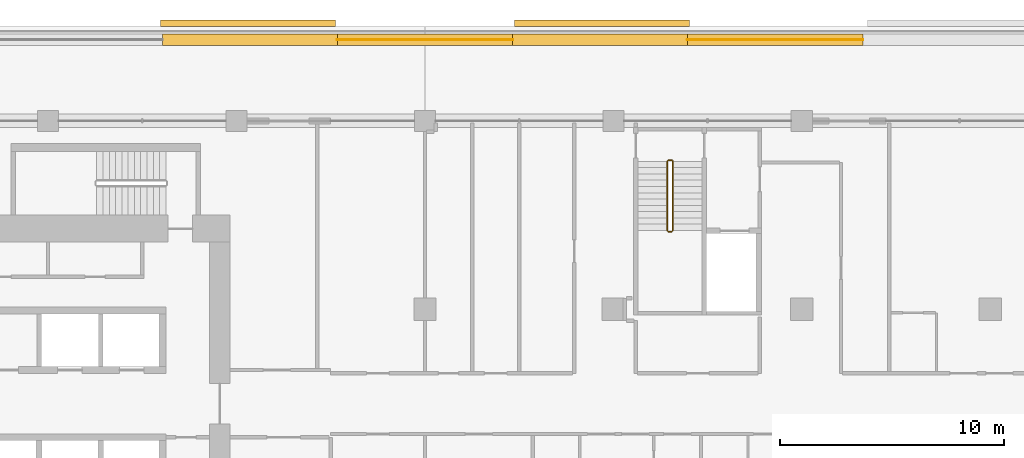
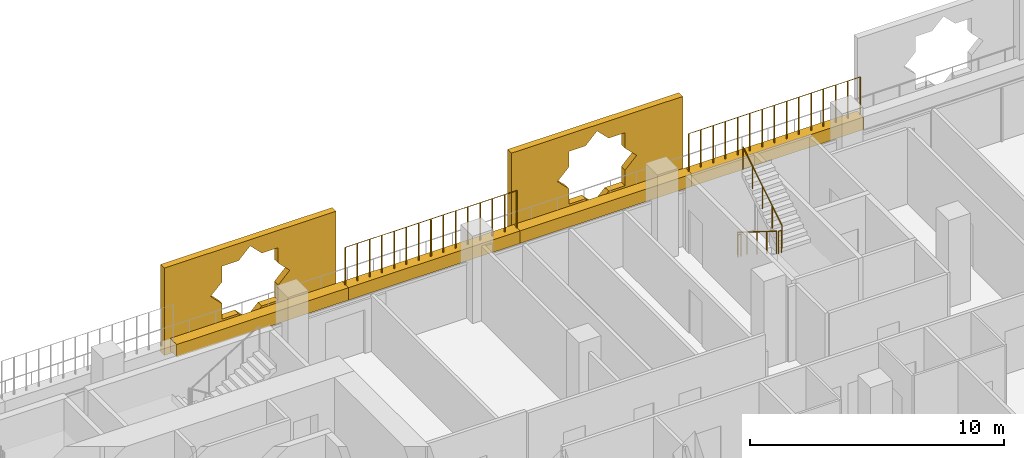
# One storey, part 21 of 22: 6 coverings, 6 railings.
"""IFC4 building model written with IfcOpenShell, lengths in metres."""

from ifc_helpers import new_model, si_unit, direction, frame, origin, origin_2d, place, context, subcontext, project, spatial, polyline, rectangle, circle, outline, extrude, material, material_profile, profile_set, type_object, element, save


model = new_model("IFC4")

# Units and contexts
model_context = context("Model", 3, precision=1e-05, world=origin(), true_north=direction((0.0, 1.0)))
body_context = subcontext(model_context, "Body", "Model", "MODEL_VIEW")
ifc_project = project(units=[si_unit("LENGTHUNIT", "METRE"), si_unit("AREAUNIT", "SQUARE_METRE"), si_unit("VOLUMEUNIT", "CUBIC_METRE"), si_unit("PLANEANGLEUNIT", "RADIAN"), si_unit("MASSUNIT", "GRAM", prefix="KILO")], contexts=[model_context])

# Site, building, storey
site_placement = place(None, origin())
site = spatial("IfcSite", under=ifc_project, at=site_placement, CompositionType="ELEMENT")
building_placement = place(site_placement, origin())
building = spatial("IfcBuilding", under=site, at=building_placement, Name="Kawkab Arch Medical Tower", CompositionType="ELEMENT")
storey_placement = place(building_placement, frame((0.0, 0.0, 187.800048828125)))
storey = spatial("IfcBuildingStorey", under=building, at=storey_placement, Name="L43", CompositionType="ELEMENT", Elevation=187.800048828125)

# Coverings
ifc_material_1 = material(Name="Bronze anodised aluminium mashrabiya panel, eight-point star pattern", Category="aluminium")
ifc_material_profile_1 = material_profile(ifc_material_1, outline(polyline([(-3.89990234375, -2.10009765625), (3.89990234375, -2.10009765625), (3.89990234375, 2.10009765625), (-3.89990234375, 2.10009765625), (-3.89990234375, -2.10009765625)]), holes=[polyline([(1.800048828125, 0.0), (1.272705078125, 0.527099609375), (1.272705078125, 1.272705078125), (0.527099609375, 1.272705078125), (0.0, 1.800048828125), (-0.527099609375, 1.272705078125), (-1.272705078125, 1.272705078125), (-1.272705078125, 0.527099609375), (-1.800048828125, 0.0), (-1.272705078125, -0.527099609375), (-1.272705078125, -1.272705078125), (-0.527099609375, -1.272705078125), (0.0, -1.800048828125), (0.527099609375, -1.272705078125), (1.272705078125, -1.272705078125), (1.272705078125, -0.527099609375), (1.800048828125, 0.0)])]), Name="Mashrabiya panel 7800x4200")
ifc_profile_set_1 = profile_set([ifc_material_profile_1], Name="Bronze anodised aluminium mashrabiya panel, eight-point star pattern")
covering_type_1 = type_object("IfcCoveringType", Name="Mashrabiya panel 7800 x 4200", PredefinedType="USERDEFINED", material=ifc_profile_set_1)
for number, where, z_axis, x_axis, name in (
    (1, (25.7158203125, 4.199951171875, 1.699951171875), (0.0, 1.0, 0.0), (-1.0, 0.0, 0.0), "Mashrabiya panel L43.LOG-01-01.6"),
    (2, (41.484375, 4.199951171875, 1.699951171875), (0.0, 1.0, 0.0), (-1.0, 0.0, 0.0), "Mashrabiya panel L43.LOG-01-01.7"),
):
    element("IfcCovering", number, at=place(storey_placement, frame(where, z_axis=z_axis, x_axis=x_axis)), inside=storey, type_object=covering_type_1, Name=name, ObjectType="SCREEN", PredefinedType="USERDEFINED", context=body_context, shape_type="SweptSolid", body=[
        extrude(outline(polyline([(-3.89990234375, -2.10009765625), (3.89990234375, -2.10009765625), (3.89990234375, 2.10009765625), (-3.89990234375, 2.10009765625), (-3.89990234375, -2.10009765625)]), holes=[polyline([(1.800048828125, 0.0), (1.272705078125, 0.527099609375), (1.272705078125, 1.272705078125), (0.527099609375, 1.272705078125), (0.0, 1.800048828125), (-0.527099609375, 1.272705078125), (-1.272705078125, 1.272705078125), (-1.272705078125, 0.527099609375), (-1.800048828125, 0.0), (-1.272705078125, -0.527099609375), (-1.272705078125, -1.272705078125), (-0.527099609375, -1.272705078125), (0.0, -1.800048828125), (0.527099609375, -1.272705078125), (1.272705078125, -1.272705078125), (1.272705078125, -0.527099609375), (1.800048828125, 0.0)])]), origin(), (0.0, 0.0, 1.0), 0.300048828125),
    ])
ifc_material_2 = material(Name="Planting soil in a precast trough", Category="concrete")
ifc_material_profile_2 = material_profile(ifc_material_2, rectangle(XDim=0.5, YDim=0.60009765625, at=origin_2d()), Name="Trough 500x600")
ifc_profile_set_2 = profile_set([ifc_material_profile_2], Name="Planting soil in a precast trough")
covering_type_2 = type_object("IfcCoveringType", Name="Planter trough 500 x 600", PredefinedType="USERDEFINED", material=ifc_profile_set_2)
covering_1_placement = place(storey_placement, frame((21.89306640625, 3.6201171875, 0.300048828125), z_axis=(1.0, 0.0, 0.0), x_axis=(0.0, 1.0, 0.0)))
element("IfcCovering", 3, at=covering_1_placement, inside=storey, type_object=covering_type_2, Name="Planter L43.LOG-01-01.20", ObjectType="PLANTER", PredefinedType="USERDEFINED", context=body_context, shape_type="SweptSolid", body=[
    extrude(rectangle(XDim=0.5, YDim=0.60009765625, at=origin_2d()), origin(), (0.0, 0.0, 1.0), 7.804931640625),
])
covering_2_placement = place(storey_placement, frame((29.697998046875, 3.6201171875, 0.300048828125), z_axis=(1.0, 0.0, 0.0), x_axis=(0.0, 1.0, 0.0)))
element("IfcCovering", 4, at=covering_2_placement, inside=storey, type_object=covering_type_2, Name="Planter L43.LOG-01-01.21", ObjectType="PLANTER", PredefinedType="USERDEFINED", context=body_context, shape_type="SweptSolid", body=[
    extrude(rectangle(XDim=0.5, YDim=0.60009765625, at=origin_2d()), origin(), (0.0, 0.0, 1.0), 7.803955078125),
])
covering_3_placement = place(storey_placement, frame((37.501953125, 3.6201171875, 0.300048828125), z_axis=(1.0, 0.0, 0.0), x_axis=(0.0, 1.0, 0.0)))
element("IfcCovering", 5, at=covering_3_placement, inside=storey, type_object=covering_type_2, Name="Planter L43.LOG-01-01.22", ObjectType="PLANTER", PredefinedType="USERDEFINED", context=body_context, shape_type="SweptSolid", body=[
    extrude(rectangle(XDim=0.5, YDim=0.60009765625, at=origin_2d()), origin(), (0.0, 0.0, 1.0), 7.804931640625),
])
covering_4_placement = place(storey_placement, frame((45.306884765625, 3.6201171875, 0.300048828125), z_axis=(1.0, 0.0, 0.0), x_axis=(0.0, 1.0, 0.0)))
element("IfcCovering", 6, at=covering_4_placement, inside=storey, type_object=covering_type_2, Name="Planter L43.LOG-01-01.23", ObjectType="PLANTER", PredefinedType="USERDEFINED", context=body_context, shape_type="SweptSolid", body=[
    extrude(rectangle(XDim=0.5, YDim=0.60009765625, at=origin_2d()), origin(), (0.0, 0.0, 1.0), 7.80517578125),
])

# Railings
ifc_material_3 = material(Name="Bronze anodised aluminium trellis for climbing plants", Category="aluminium")
railing_type_1 = type_object("IfcRailingType", Name="Planting trellis 2400", PredefinedType="USERDEFINED", material=ifc_material_3)
railing_1_placement = place(storey_placement, frame((29.697998046875, 3.6201171875, 0.0)))
element("IfcRailing", 7, at=railing_1_placement, inside=storey, type_object=railing_type_1, Name="Planting trellis L43.LOG-01-01.21", ObjectType="TRELLIS", PredefinedType="USERDEFINED", context=body_context, shape_type="SweptSolid", body=[
    extrude(circle(Radius=0.01513671875, at=origin_2d()), frame((0.0, 0.0, 2.384765625), z_axis=(1.0, 0.0, 0.0), x_axis=(0.0, 1.0, 0.0)), (0.0, 0.0, 1.0), 7.803955078125),
    extrude(circle(Radius=0.030029296875, at=origin_2d()), origin(), (0.0, 0.0, 1.0), 2.369873046875),
    extrude(circle(Radius=0.030029296875, at=origin_2d()), frame((0.557373046875, 0.0, 0.0)), (0.0, 0.0, 1.0), 2.369873046875),
    extrude(circle(Radius=0.030029296875, at=origin_2d()), frame((1.11474609375, 0.0, 0.0)), (0.0, 0.0, 1.0), 2.369873046875),
    extrude(circle(Radius=0.030029296875, at=origin_2d()), frame((1.67236328125, 0.0, 0.0)), (0.0, 0.0, 1.0), 2.369873046875),
    extrude(circle(Radius=0.030029296875, at=origin_2d()), frame((2.229736328125, 0.0, 0.0)), (0.0, 0.0, 1.0), 2.369873046875),
    extrude(circle(Radius=0.030029296875, at=origin_2d()), frame((2.787109375, 0.0, 0.0)), (0.0, 0.0, 1.0), 2.369873046875),
    extrude(circle(Radius=0.030029296875, at=origin_2d()), frame((3.344482421875, 0.0, 0.0)), (0.0, 0.0, 1.0), 2.369873046875),
    extrude(circle(Radius=0.030029296875, at=origin_2d()), frame((3.90185546875, 0.0, 0.0)), (0.0, 0.0, 1.0), 2.369873046875),
    extrude(circle(Radius=0.030029296875, at=origin_2d()), frame((4.45947265625, 0.0, 0.0)), (0.0, 0.0, 1.0), 2.369873046875),
    extrude(circle(Radius=0.030029296875, at=origin_2d()), frame((5.016845703125, 0.0, 0.0)), (0.0, 0.0, 1.0), 2.369873046875),
    extrude(circle(Radius=0.030029296875, at=origin_2d()), frame((5.57421875, 0.0, 0.0)), (0.0, 0.0, 1.0), 2.369873046875),
    extrude(circle(Radius=0.030029296875, at=origin_2d()), frame((6.131591796875, 0.0, 0.0)), (0.0, 0.0, 1.0), 2.369873046875),
    extrude(circle(Radius=0.030029296875, at=origin_2d()), frame((6.689208984375, 0.0, 0.0)), (0.0, 0.0, 1.0), 2.369873046875),
    extrude(circle(Radius=0.030029296875, at=origin_2d()), frame((7.24658203125, 0.0, 0.0)), (0.0, 0.0, 1.0), 2.369873046875),
    extrude(circle(Radius=0.030029296875, at=origin_2d()), frame((7.803955078125, 0.0, 0.0)), (0.0, 0.0, 1.0), 2.369873046875),
])
railing_2_placement = place(storey_placement, frame((45.306884765625, 3.6201171875, 0.0)))
element("IfcRailing", 8, at=railing_2_placement, inside=storey, type_object=railing_type_1, Name="Planting trellis L43.LOG-01-01.23", ObjectType="TRELLIS", PredefinedType="USERDEFINED", context=body_context, shape_type="SweptSolid", body=[
    extrude(circle(Radius=0.01513671875, at=origin_2d()), frame((0.0, 0.0, 2.384765625), z_axis=(1.0, 0.0, 0.0), x_axis=(0.0, 1.0, 0.0)), (0.0, 0.0, 1.0), 7.80517578125),
    extrude(circle(Radius=0.030029296875, at=origin_2d()), origin(), (0.0, 0.0, 1.0), 2.369873046875),
    extrude(circle(Radius=0.030029296875, at=origin_2d()), frame((0.5576171875, 0.0, 0.0)), (0.0, 0.0, 1.0), 2.369873046875),
    extrude(circle(Radius=0.030029296875, at=origin_2d()), frame((1.114990234375, 0.0, 0.0)), (0.0, 0.0, 1.0), 2.369873046875),
    extrude(circle(Radius=0.030029296875, at=origin_2d()), frame((1.672607421875, 0.0, 0.0)), (0.0, 0.0, 1.0), 2.369873046875),
    extrude(circle(Radius=0.030029296875, at=origin_2d()), frame((2.22998046875, 0.0, 0.0)), (0.0, 0.0, 1.0), 2.369873046875),
    extrude(circle(Radius=0.030029296875, at=origin_2d()), frame((2.78759765625, 0.0, 0.0)), (0.0, 0.0, 1.0), 2.369873046875),
    extrude(circle(Radius=0.030029296875, at=origin_2d()), frame((3.344970703125, 0.0, 0.0)), (0.0, 0.0, 1.0), 2.369873046875),
    extrude(circle(Radius=0.030029296875, at=origin_2d()), frame((3.902587890625, 0.0, 0.0)), (0.0, 0.0, 1.0), 2.369873046875),
    extrude(circle(Radius=0.030029296875, at=origin_2d()), frame((4.460205078125, 0.0, 0.0)), (0.0, 0.0, 1.0), 2.369873046875),
    extrude(circle(Radius=0.030029296875, at=origin_2d()), frame((5.017578125, 0.0, 0.0)), (0.0, 0.0, 1.0), 2.369873046875),
    extrude(circle(Radius=0.030029296875, at=origin_2d()), frame((5.5751953125, 0.0, 0.0)), (0.0, 0.0, 1.0), 2.369873046875),
    extrude(circle(Radius=0.030029296875, at=origin_2d()), frame((6.132568359375, 0.0, 0.0)), (0.0, 0.0, 1.0), 2.369873046875),
    extrude(circle(Radius=0.030029296875, at=origin_2d()), frame((6.690185546875, 0.0, 0.0)), (0.0, 0.0, 1.0), 2.369873046875),
    extrude(circle(Radius=0.030029296875, at=origin_2d()), frame((7.24755859375, 0.0, 0.0)), (0.0, 0.0, 1.0), 2.369873046875),
    extrude(circle(Radius=0.030029296875, at=origin_2d()), frame((7.80517578125, 0.0, 0.0)), (0.0, 0.0, 1.0), 2.369873046875),
])
ifc_material_4 = material(Name="Stainless steel", Category="steel")
railing_type_2 = type_object("IfcRailingType", Name="Stair guard 1100", PredefinedType="GUARDRAIL", material=ifc_material_4)
railing_3_placement = place(storey_placement, frame((44.39990234375, -1.800048828125, 0.175048828125)))
element("IfcRailing", 9, at=railing_3_placement, inside=storey, type_object=railing_type_2, Name="L43 ST5 stair guard 1", PredefinedType="GUARDRAIL", context=body_context, shape_type="SweptSolid", body=[
    extrude(circle(Radius=0.02392578125, at=origin_2d()), frame((0.0, 0.0, 1.076171875), z_axis=(0.0, -0.848009633417, 0.529980812513), x_axis=(1.0, 0.0, 0.0)), (0.0, 0.0, 1.0), 3.6318359375),
    extrude(circle(Radius=0.02099609375, at=origin_2d()), origin(), (0.0, 0.0, 1.0), 1.052001953125),
    extrude(circle(Radius=0.02099609375, at=origin_2d()), frame((0.0, -0.77001953125, 0.481201171875)), (0.0, 0.0, 1.0), 1.052001953125),
    extrude(circle(Radius=0.02099609375, at=origin_2d()), frame((0.0, -1.5400390625, 0.96240234375)), (0.0, 0.0, 1.0), 1.052001953125),
    extrude(circle(Radius=0.02099609375, at=origin_2d()), frame((0.0, -2.309814453125, 1.443603515625)), (0.0, 0.0, 1.0), 1.052001953125),
    extrude(circle(Radius=0.02099609375, at=origin_2d()), frame((0.0, -3.079833984375, 1.9248046875)), (0.0, 0.0, 1.0), 1.052001953125),
])
railing_4_placement = place(storey_placement, frame((44.449951171875, -4.929931640625, 2.099853515625)))
element("IfcRailing", 10, at=railing_4_placement, inside=storey, type_object=railing_type_2, Name="L43 ST5 stair guard 2", PredefinedType="GUARDRAIL", context=body_context, shape_type="SweptSolid", body=[
    extrude(circle(Radius=0.02392578125, at=origin_2d()), frame((0.0, 0.0, 1.076171875), z_axis=(1.0, 0.0, 0.0), x_axis=(0.0, 1.0, 0.0)), (0.0, 0.0, 1.0), 0.150146484375),
    extrude(circle(Radius=0.02099609375, at=origin_2d()), origin(), (0.0, 0.0, 1.0), 1.052001953125),
    extrude(circle(Radius=0.02099609375, at=origin_2d()), frame((0.150146484375, 0.0, 0.0)), (0.0, 0.0, 1.0), 1.052001953125),
])
railing_5_placement = place(storey_placement, frame((44.64990234375, -4.8798828125, 2.27490234375)))
element("IfcRailing", 11, at=railing_5_placement, inside=storey, type_object=railing_type_2, Name="L43 ST5 stair guard 3", PredefinedType="GUARDRAIL", context=body_context, shape_type="SweptSolid", body=[
    extrude(circle(Radius=0.02392578125, at=origin_2d()), frame((0.0, 0.0, 1.076171875), z_axis=(0.0, 0.847979421464, 0.530029150871), x_axis=(-1.0, 0.0, 0.0)), (0.0, 0.0, 1.0), 3.632080078125),
    extrude(circle(Radius=0.02099609375, at=origin_2d()), origin(), (0.0, 0.0, 1.0), 1.052001953125),
    extrude(circle(Radius=0.02099609375, at=origin_2d()), frame((0.0, 0.77001953125, 0.481201171875)), (0.0, 0.0, 1.0), 1.052001953125),
    extrude(circle(Radius=0.02099609375, at=origin_2d()), frame((0.0, 1.5400390625, 0.96240234375)), (0.0, 0.0, 1.0), 1.052001953125),
    extrude(circle(Radius=0.02099609375, at=origin_2d()), frame((0.0, 2.309814453125, 1.44384765625)), (0.0, 0.0, 1.0), 1.052001953125),
    extrude(circle(Radius=0.02099609375, at=origin_2d()), frame((0.0, 3.079833984375, 1.925048828125)), (0.0, 0.0, 1.0), 1.052001953125),
])
railing_6_placement = place(storey_placement, frame((44.449951171875, -1.75, 0.0)))
element("IfcRailing", 12, at=railing_6_placement, inside=storey, type_object=railing_type_2, Name="L43 ST5 stair guard 4", PredefinedType="GUARDRAIL", context=body_context, shape_type="SweptSolid", body=[
    extrude(circle(Radius=0.02392578125, at=origin_2d()), frame((0.0, 0.0, 1.076171875), z_axis=(1.0, 0.0, 0.0), x_axis=(0.0, 1.0, 0.0)), (0.0, 0.0, 1.0), 0.150146484375),
    extrude(circle(Radius=0.02099609375, at=origin_2d()), origin(), (0.0, 0.0, 1.0), 1.052001953125),
    extrude(circle(Radius=0.02099609375, at=origin_2d()), frame((0.150146484375, 0.0, 0.0)), (0.0, 0.0, 1.0), 1.052001953125),
])

save(model, "model.ifc")
